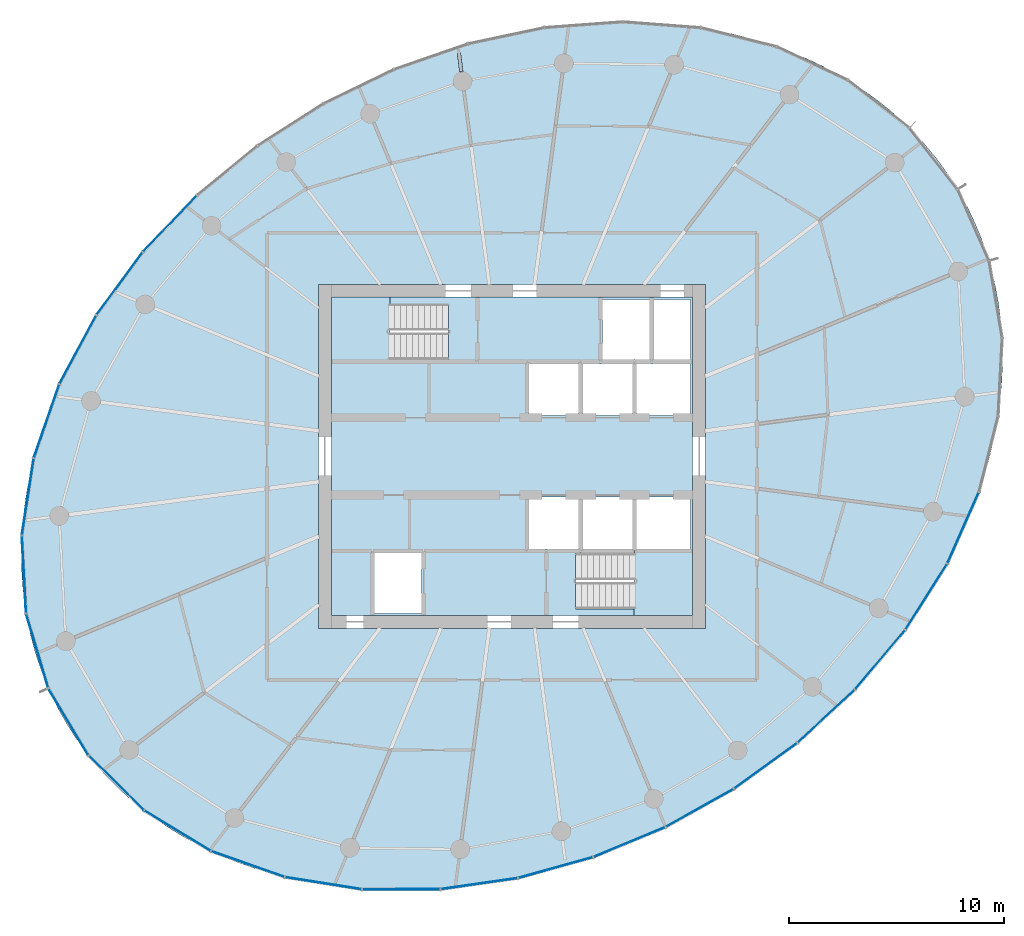
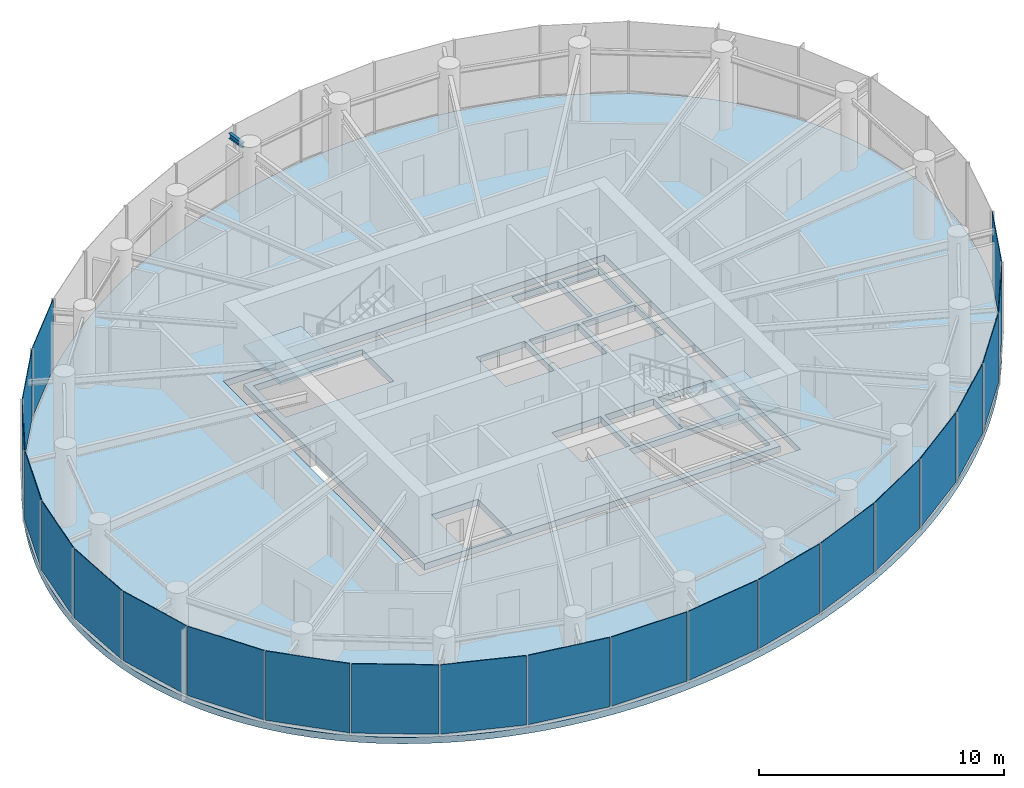
# One storey, part 8 of 14: 22 plates, 4 slabs, 1 beam, 7 elements without a shape of their own.
"""IFC4 building model written with IfcOpenShell, lengths in metres."""

from ifc_helpers import new_model, si_unit, direction, frame, origin, origin_2d, place, context, subcontext, project, spatial, line, indexed_curve, rectangle, i_section, outline, extrude, source, transform, mapped, material, layer, layer_set, material_profile, profile_set, type_object, element, aggregate, save


model = new_model("IFC4")

# Units and contexts
model_context = context("Model", 3, precision=1e-05, world=origin(), true_north=direction((0.0, 1.0)))
body_context = subcontext(model_context, "Body", "Model", "MODEL_VIEW")
ifc_project = project(units=[si_unit("LENGTHUNIT", "METRE"), si_unit("AREAUNIT", "SQUARE_METRE"), si_unit("VOLUMEUNIT", "CUBIC_METRE"), si_unit("PLANEANGLEUNIT", "RADIAN"), si_unit("MASSUNIT", "GRAM", prefix="KILO")], contexts=[model_context])

# Site, building, storey
site_placement = place(None, origin())
site = spatial("IfcSite", under=ifc_project, at=site_placement, CompositionType="ELEMENT")
building_placement = place(site_placement, origin())
building = spatial("IfcBuilding", under=site, at=building_placement, Name="Spindrift Exchange Tower", CompositionType="ELEMENT")
storey_placement = place(building_placement, frame((0.0, 0.0, 211.10009765625)))
storey = spatial("IfcBuildingStorey", under=building, at=storey_placement, Name="L51", CompositionType="ELEMENT", Elevation=211.10009765625)

# Beam
ifc_material_1 = material(Name="Steel Grade 300", Category="steel")
ifc_material_profile = material_profile(ifc_material_1, i_section(OverallWidth=0.14599609375, OverallDepth=0.251953125, WebThickness=0.006103515625, FlangeThickness=0.008544921875, FilletRadius=0.011962890625, at=origin_2d()), Name="250UB31.4")
ifc_profile_set = profile_set([ifc_material_profile], Name="Steel Grade 300")
beam_type = type_object("IfcBeamType", Name="Cantilever Beam 250UB31.4 Steel Grade 300", PredefinedType="BEAM", material=ifc_profile_set)
shared_shape_1 = source(origin(), body_context, "Body", "SweptSolid", [
    extrude(i_section(OverallWidth=0.14599609375, OverallDepth=0.251953125, WebThickness=0.006103515625, FlangeThickness=0.008544921875, FilletRadius=0.011962890625, at=origin_2d()), origin(), (0.0, 0.0, 1.0), 0.9130859375),
])
beam_placement = place(storey_placement, frame((49.6474609375, 65.868896484375, 3.453857421875), z_axis=(-0.130482178954, 0.991450654836, 0.0), x_axis=(-0.991450654836, -0.130482178954, 0.0)))
element("IfcBeam", 1, at=beam_placement, inside=storey, type_object=beam_type, Name="L51 cantilever beam R07T", PredefinedType="BEAM", context=body_context, shape_type="MappedRepresentation", body=[
    mapped(shared_shape_1, transform((0.0, 0.0, 0.0), scale=1.0)),
])

# Slabs
ifc_material_2 = material(Name="Concrete 40 MPa", Category="concrete")
ifc_layer_1 = layer(ifc_material_2, 0.320068359375)
ifc_layer_set_1 = layer_set([ifc_layer_1], Name="RC Floor Slab 320 Concrete 40 MPa")
slab_type_1 = type_object("IfcSlabType", Name="RC Floor Slab 320 Concrete 40 MPa", PredefinedType="FLOOR", material=ifc_layer_set_1)
slab_1_placement = place(storey_placement, frame((0.0, 0.0, -0.320068359375)))
element("IfcSlab", 2, at=slab_1_placement, inside=storey, type_object=slab_type_1, Name="Floor slab L51", PredefinedType="FLOOR", context=body_context, shape_type="SweptSolid", body=[
    extrude(outline(indexed_curve([(72.726318359375, 60.415771484375), (72.32470703125, 61.048095703125), (71.890380859375, 61.658447265625), (71.66162109375, 61.955078125), (71.18115234375, 62.52978515625), (70.93017578125, 62.807861328125), (70.406982421875, 63.34423828125), (69.857666015625, 63.853515625), (69.573486328125, 64.097900390625), (68.98828125, 64.565185546875), (68.380859375, 65.00390625), (68.069580078125, 65.21240234375), (67.433349609375, 65.607666015625), (66.779541015625, 65.9736328125), (66.447021484375, 66.145751953125), (65.7705078125, 66.468017578125), (65.081298828125, 66.76171875), (64.732421875, 66.897705078125), (64.0263671875, 67.148193359375), (63.31103515625, 67.37109375), (62.587646484375, 67.566162109375), (62.223388671875, 67.653564453125), (61.857666015625, 67.734375), (61.121826171875, 67.8759765625), (60.752197265625, 67.93701171875), (60.01025390625, 68.0400390625), (59.637939453125, 68.08203125), (58.8916015625, 68.147705078125), (58.517822265625, 68.17138671875), (57.769287109375, 68.20068359375), (57.39453125, 68.20654296875), (56.6455078125, 68.201171875), (56.27099609375, 68.18994140625), (55.522705078125, 68.15087890625), (54.776123046875, 68.08984375), (54.403564453125, 68.051513671875), (54.031494140625, 68.0078125), (53.289306640625, 67.904541015625), (52.91943359375, 67.845458984375), (52.18212890625, 67.712158203125), (51.083740234375, 67.47509765625), (49.995361328125, 67.195556640625), (48.91845703125, 66.8740234375), (47.8544921875, 66.51220703125), (46.8046875, 66.111083984375), (45.7705078125, 65.671875), (44.752685546875, 65.1953125), (43.752685546875, 64.682373046875), (43.0966796875, 64.320556640625), (42.449462890625, 63.943359375), (41.495849609375, 63.3486328125), (40.872314453125, 62.933349609375), (40.2587890625, 62.50341796875), (39.3583984375, 61.830810546875), (38.48291015625, 61.126220703125), (37.634033203125, 60.389892578125), (36.81298828125, 59.62255859375), (36.021484375, 58.82470703125), (35.261474609375, 57.997314453125), (34.5341796875, 57.140380859375), (34.299560546875, 56.848388671875), (33.842041015625, 56.255126953125), (33.401123046875, 55.6494140625), (33.18701171875, 55.342041015625), (32.977294921875, 55.03173828125), (32.5712890625, 54.402099609375), (32.18359375, 53.760986328125), (31.9970703125, 53.43603515625), (31.8154296875, 53.1083984375), (31.46728515625, 52.445068359375), (31.30078125, 52.109375), (30.984375, 51.430419921875), (30.83447265625, 51.087158203125), (30.551513671875, 50.393310546875), (30.2919921875, 49.6904296875), (30.171630859375, 49.335693359375), (29.949462890625, 48.620361328125), (29.847900390625, 48.259765625), (29.753173828125, 47.897216796875), (29.583984375, 47.16748046875), (29.44287109375, 46.431640625), (29.330810546875, 45.69091796875), (29.285888671875, 45.319091796875), (29.219482421875, 44.57275390625), (29.1845703125, 43.824462890625), (29.17919921875, 43.449951171875), (29.193603515625, 42.700927734375), (29.24169921875, 41.953369140625), (29.27880859375, 41.58056640625), (29.37890625, 40.838134765625), (29.514892578125, 40.101318359375), (29.59619140625, 39.735595703125), (29.785888671875, 39.010986328125), (29.89453125, 38.65234375), (30.138671875, 37.944091796875), (30.418701171875, 37.24951171875), (30.734619140625, 36.570068359375), (30.90576171875, 36.23681640625), (31.273681640625, 35.584228515625), (31.67529296875, 34.951904296875), (32.109619140625, 34.341552734375), (32.33837890625, 34.044921875), (32.81884765625, 33.47021484375), (33.06982421875, 33.192138671875), (33.593017578125, 32.65576171875), (34.142333984375, 32.146484375), (34.426513671875, 31.902099609375), (35.01171875, 31.434814453125), (35.619140625, 30.99609375), (35.930419921875, 30.78759765625), (36.566650390625, 30.392333984375), (37.220458984375, 30.0263671875), (37.552978515625, 29.854248046875), (38.2294921875, 29.531982421875), (38.918701171875, 29.23828125), (39.267578125, 29.102294921875), (39.9736328125, 28.851806640625), (40.68896484375, 28.62890625), (41.412353515625, 28.433837890625), (41.776611328125, 28.346435546875), (42.142333984375, 28.265625), (42.878173828125, 28.1240234375), (43.247802734375, 28.06298828125), (43.98974609375, 27.9599609375), (44.362060546875, 27.91796875), (45.1083984375, 27.852294921875), (45.482177734375, 27.82861328125), (46.230712890625, 27.79931640625), (46.60546875, 27.79345703125), (47.3544921875, 27.798828125), (47.72900390625, 27.81005859375), (48.477294921875, 27.84912109375), (49.223876953125, 27.91015625), (49.596435546875, 27.948486328125), (49.968505859375, 27.9921875), (50.710693359375, 28.095458984375), (51.08056640625, 28.154541015625), (51.81787109375, 28.287841796875), (52.916259765625, 28.52490234375), (54.004638671875, 28.804443359375), (55.08154296875, 29.1259765625), (56.1455078125, 29.48779296875), (57.1953125, 29.888916015625), (58.2294921875, 30.328125), (59.247314453125, 30.8046875), (60.247314453125, 31.317626953125), (60.9033203125, 31.679443359375), (61.550537109375, 32.056640625), (62.504150390625, 32.6513671875), (63.127685546875, 33.066650390625), (63.7412109375, 33.49658203125), (64.6416015625, 34.169189453125), (65.51708984375, 34.873779296875), (66.365966796875, 35.610107421875), (67.18701171875, 36.37744140625), (67.978515625, 37.17529296875), (68.738525390625, 38.002685546875), (69.4658203125, 38.859619140625), (69.700439453125, 39.151611328125), (70.157958984375, 39.744873046875), (70.598876953125, 40.3505859375), (70.81298828125, 40.657958984375), (71.022705078125, 40.96826171875), (71.4287109375, 41.597900390625), (71.81640625, 42.239013671875), (72.0029296875, 42.56396484375), (72.1845703125, 42.8916015625), (72.53271484375, 43.554931640625), (72.69921875, 43.890625), (73.015625, 44.569580078125), (73.16552734375, 44.912841796875), (73.448486328125, 45.606689453125), (73.7080078125, 46.3095703125), (73.828369140625, 46.664306640625), (74.050537109375, 47.379638671875), (74.152099609375, 47.740234375), (74.246826171875, 48.102783203125), (74.416015625, 48.83251953125), (74.55712890625, 49.568359375), (74.669189453125, 50.30908203125), (74.714111328125, 50.680908203125), (74.780517578125, 51.42724609375), (74.8154296875, 52.175537109375), (74.82080078125, 52.550048828125), (74.806396484375, 53.299072265625), (74.75830078125, 54.046630859375), (74.72119140625, 54.41943359375), (74.62109375, 55.161865234375), (74.485107421875, 55.898681640625), (74.40380859375, 56.264404296875), (74.214111328125, 56.989013671875), (74.10546875, 57.34765625), (73.861328125, 58.055908203125), (73.581298828125, 58.75048828125), (73.265380859375, 59.429931640625), (73.09423828125, 59.76318359375)], segments=[line(1, 2, 3, 4, 5, 6, 7, 8, 9, 10, 11, 12, 13, 14, 15, 16, 17, 18, 19, 20, 21, 22, 23, 24, 25, 26, 27, 28, 29, 30, 31, 32, 33, 34, 35, 36, 37, 38, 39, 40, 41, 42, 43, 44, 45, 46, 47, 48, 49, 50, 51, 52, 53, 54, 55, 56, 57, 58, 59, 60, 61, 62, 63, 64, 65, 66, 67, 68, 69, 70, 71, 72, 73, 74, 75, 76, 77, 78, 79, 80, 81, 82, 83, 84, 85, 86, 87, 88, 89, 90, 91, 92, 93, 94, 95, 96, 97, 98, 99, 100, 101, 102, 103, 104, 105, 106, 107, 108, 109, 110, 111, 112, 113, 114, 115, 116, 117, 118, 119, 120, 121, 122, 123, 124, 125, 126, 127, 128, 129, 130, 131, 132, 133, 134, 135, 136, 137, 138, 139, 140, 141, 142, 143, 144, 145, 146, 147, 148, 149, 150, 151, 152, 153, 154, 155, 156, 157, 158, 159, 160, 161, 162, 163, 164, 165, 166, 167, 168, 169, 170, 171, 172, 173, 174, 175, 176, 177, 178, 179, 180, 181, 182, 183, 184, 185, 186, 187, 188, 189, 190, 191, 192, 193, 194, 195, 196, 1)], self_intersect=False), holes=[indexed_curve([(43.0, 40.0), (61.0, 40.0), (61.0, 56.0), (43.0, 56.0)], segments=[line(1, 2, 3, 4, 1)], self_intersect=False)]), origin(), (0.0, 0.0, 1.0), 0.320068359375),
])
ifc_material_3 = material(Name="Concrete 50 MPa", Category="concrete")
ifc_layer_2 = layer(ifc_material_3, 0.320068359375)
ifc_layer_set_2 = layer_set([ifc_layer_2], Name="SL-CORE-FLOOR-320")
slab_type_2 = type_object("IfcSlabType", Name="SL-CORE-FLOOR-320", PredefinedType="FLOOR", material=ifc_layer_set_2)
slab_2_placement = place(storey_placement, frame((0.0, 0.0, -0.320068359375)))
element("IfcSlab", 3, at=slab_2_placement, inside=storey, type_object=slab_type_2, Name="L51 Core floor slab", PredefinedType="FLOOR", context=body_context, shape_type="SweptSolid", body=[
    extrude(outline(indexed_curve([(43.60009765625, 40.60009765625), (43.60009765625, 55.39990234375), (60.39990234375, 55.39990234375), (60.39990234375, 40.60009765625)], segments=[line(1, 2, 3, 4, 1)], self_intersect=False), holes=[indexed_curve([(45.60009765625, 43.5), (45.60009765625, 40.699951171875), (47.800048828125, 40.699951171875), (47.800048828125, 43.5)], segments=[line(1, 2, 3, 4, 1)], self_intersect=False), indexed_curve([(52.800048828125, 46.10009765625), (52.800048828125, 43.699951171875), (55.10009765625, 43.699951171875), (55.10009765625, 46.10009765625)], segments=[line(1, 2, 3, 4, 1)], self_intersect=False), indexed_curve([(55.300048828125, 46.10009765625), (55.300048828125, 43.699951171875), (57.60009765625, 43.699951171875), (57.60009765625, 46.10009765625)], segments=[line(1, 2, 3, 4, 1)], self_intersect=False), indexed_curve([(55.10009765625, 52.300048828125), (52.800048828125, 52.300048828125), (52.800048828125, 49.89990234375), (55.10009765625, 49.89990234375)], segments=[line(1, 2, 3, 4, 1)], self_intersect=False), indexed_curve([(57.60009765625, 52.300048828125), (55.300048828125, 52.300048828125), (55.300048828125, 49.89990234375), (57.60009765625, 49.89990234375)], segments=[line(1, 2, 3, 4, 1)], self_intersect=False), indexed_curve([(43.906005859375, 52.506103515625), (49.0439453125, 52.506103515625), (49.0439453125, 55.093994140625), (43.906005859375, 55.093994140625)], segments=[line(1, 2, 3, 4, 1)], self_intersect=False), indexed_curve([(60.093994140625, 40.906005859375), (60.093994140625, 43.493896484375), (54.9560546875, 43.493896484375), (54.9560546875, 40.906005859375)], segments=[line(1, 2, 3, 4, 1)], self_intersect=False), indexed_curve([(60.300048828125, 46.10009765625), (57.800048828125, 46.10009765625), (57.800048828125, 43.699951171875), (60.300048828125, 43.699951171875)], segments=[line(1, 2, 3, 4, 1)], self_intersect=False), indexed_curve([(57.800048828125, 52.300048828125), (57.800048828125, 49.89990234375), (60.300048828125, 49.89990234375), (60.300048828125, 52.300048828125)], segments=[line(1, 2, 3, 4, 1)], self_intersect=False), indexed_curve([(58.39990234375, 55.300048828125), (56.199951171875, 55.300048828125), (56.199951171875, 52.5), (58.39990234375, 52.5)], segments=[line(1, 2, 3, 4, 1)], self_intersect=False), indexed_curve([(60.300048828125, 55.300048828125), (58.60009765625, 55.300048828125), (58.60009765625, 52.5), (60.300048828125, 52.5)], segments=[line(1, 2, 3, 4, 1)], self_intersect=False)]), origin(), (0.0, 0.0, 1.0), 0.320068359375),
])

# Stair, slab
stair_type = type_object("IfcStairType", Name="ST-1250-R177", PredefinedType="HALF_TURN_STAIR", material=ifc_material_3)
stair_1_placement = place(storey_placement, origin())
stair_1 = element("IfcStair", 4, at=stair_1_placement, inside=storey, type_object=stair_type, Name="L51 Exit stair ST1", PredefinedType="HALF_TURN_STAIR")
ifc_layer_3 = layer(ifc_material_3, 0.199951171875)
ifc_layer_set_3 = layer_set([ifc_layer_3], Name="SL-LANDING")
slab_type_3 = type_object("IfcSlabType", Name="SL-LANDING", PredefinedType="LANDING", material=ifc_layer_set_3)
slab_3_placement = place(storey_placement, frame((0.0, 0.0, 1.75)))
slab_3 = element("IfcSlab", 5, at=slab_3_placement, type_object=slab_type_3, Name="ST1 landing 1", PredefinedType="LANDING", context=body_context, shape_type="SweptSolid", body=[
    extrude(outline(indexed_curve([(46.330078125, 52.39990234375), (43.60009765625, 52.39990234375), (43.60009765625, 55.39990234375), (46.330078125, 55.39990234375)], segments=[line(1, 2, 3, 4, 1)], self_intersect=False)), origin(), (0.0, 0.0, 1.0), 0.199951171875),
])
aggregate(stair_1, [slab_3])

stair_2_placement = place(storey_placement, origin())
stair_2 = element("IfcStair", 6, at=stair_2_placement, inside=storey, type_object=stair_type, Name="L51 Exit stair ST2", PredefinedType="HALF_TURN_STAIR")
slab_4_placement = place(storey_placement, frame((0.0, 0.0, 1.75)))
slab_4 = element("IfcSlab", 7, at=slab_4_placement, type_object=slab_type_3, Name="ST2 landing 1", PredefinedType="LANDING", context=body_context, shape_type="SweptSolid", body=[
    extrude(outline(indexed_curve([(57.669921875, 43.60009765625), (60.39990234375, 43.60009765625), (60.39990234375, 40.60009765625), (57.669921875, 40.60009765625)], segments=[line(1, 2, 3, 4, 1)], self_intersect=False)), origin(), (0.0, 0.0, 1.0), 0.199951171875),
])
aggregate(stair_2, [slab_4])

# Curtain wall, plate
ifc_material_4 = material(Name="Fritted laminated glass with bronze frame", Category="glass")
ifc_layer_4 = layer(ifc_material_4, 0.169921875)
ifc_layer_set_4 = layer_set([ifc_layer_4], Name="ZONE 4 BRONZE FRITTED WALL")
curtain_wall_type = type_object("IfcCurtainWallType", Name="ZONE 4 BRONZE FRITTED WALL", PredefinedType="NOTDEFINED", material=ifc_layer_set_4)
curtain_wall_1_placement = place(storey_placement, origin())
curtain_wall_1 = element("IfcCurtainWall", 8, at=curtain_wall_1_placement, inside=storey, type_object=curtain_wall_type, Name="L51 Zone 4 Bronze Fritted Wall run 2", PredefinedType="NOTDEFINED")
ifc_material_5 = material(Name="Bronze fritted laminated glass, open frit", Category="glass")
ifc_layer_5 = layer(ifc_material_5, 0.030029296875)
ifc_layer_set_5 = layer_set([ifc_layer_5], Name="ZONE 4 BRONZE FRITTED WALL PANEL OPEN FRIT 600")
plate_type_1 = type_object("IfcPlateType", Name="ZONE 4 BRONZE FRITTED WALL PANEL OPEN FRIT 600", PredefinedType="CURTAIN_PANEL", material=ifc_layer_set_5)
shared_shape_2 = source(origin(), body_context, "Body", "SweptSolid", [
    extrude(rectangle(XDim=3.577392578125, YDim=0.030029296875, at=origin_2d()), origin(), (0.0, 0.0, 1.0), 3.455078125),
])
plate_1_placement = place(storey_placement, frame((36.090576171875, 58.814697265625, 0.124755859375), z_axis=(0.0, 0.0, 1.0), x_axis=(-0.691369315119, -0.722501536408, 0.0)))
plate_1 = element("IfcPlate", 9, at=plate_1_placement, type_object=plate_type_1, Name="L51 panel CW-4.12", PredefinedType="CURTAIN_PANEL", context=body_context, shape_type="MappedRepresentation", body=[
    mapped(shared_shape_2, transform((0.0, 0.0, 0.0), scale=1.0)),
])
aggregate(curtain_wall_1, [plate_1])

curtain_wall_2_placement = place(storey_placement, origin())
curtain_wall_2 = element("IfcCurtainWall", 10, at=curtain_wall_2_placement, inside=storey, type_object=curtain_wall_type, Name="L51 Zone 4 Bronze Fritted Wall run 6", PredefinedType="NOTDEFINED")
plate_2_placement = place(storey_placement, frame((69.12353515625, 38.538818359375, 0.124755859375), z_axis=(0.0, 0.0, 1.0), x_axis=(0.644197053977, 0.764859565965, 0.0)))
plate_2 = element("IfcPlate", 11, at=plate_2_placement, type_object=plate_type_1, Name="L51 panel CW-4.31", PredefinedType="CURTAIN_PANEL", context=body_context, shape_type="MappedRepresentation", body=[
    mapped(shared_shape_2, transform((0.0, 0.0, 0.0), scale=1.0)),
])

# Curtain wall, plates
curtain_wall_3_placement = place(storey_placement, origin())
curtain_wall_3 = element("IfcCurtainWall", 12, at=curtain_wall_3_placement, inside=storey, type_object=curtain_wall_type, Name="L51 Zone 4 Bronze Fritted Wall run 5", PredefinedType="NOTDEFINED")
ifc_layer_6 = layer(ifc_material_5, 0.030029296875)
ifc_layer_set_6 = layer_set([ifc_layer_6], Name="ZONE 4 BRONZE FRITTED WALL PANEL OPEN FRIT 480")
plate_type_2 = type_object("IfcPlateType", Name="ZONE 4 BRONZE FRITTED WALL PANEL OPEN FRIT 480", PredefinedType="CURTAIN_PANEL", material=ifc_layer_set_6)
shared_shape_3 = source(origin(), body_context, "Body", "SweptSolid", [
    extrude(rectangle(XDim=3.577880859375, YDim=0.030029296875, at=origin_2d()), origin(), (0.0, 0.0, 1.0), 3.455078125),
])
plate_3_placement = place(storey_placement, frame((60.736083984375, 31.64599609375, 0.124755859375), z_axis=(0.0, 0.0, 1.0), x_axis=(0.872428627189, 0.488741537483, 0.0)))
plate_3 = element("IfcPlate", 13, at=plate_3_placement, type_object=plate_type_2, Name="L51 panel CW-4.28", PredefinedType="CURTAIN_PANEL", context=body_context, shape_type="MappedRepresentation", body=[
    mapped(shared_shape_3, transform((0.0, 0.0, 0.0), scale=1.0)),
])
ifc_layer_7 = layer(ifc_material_5, 0.030029296875)
ifc_layer_set_7 = layer_set([ifc_layer_7], Name="ZONE 4 BRONZE FRITTED WALL PANEL OPEN FRIT 360")
plate_type_3 = type_object("IfcPlateType", Name="ZONE 4 BRONZE FRITTED WALL PANEL OPEN FRIT 360", PredefinedType="CURTAIN_PANEL", material=ifc_layer_set_7)
shared_shape_4 = source(origin(), body_context, "Body", "SweptSolid", [
    extrude(rectangle(XDim=3.5771484375, YDim=0.030029296875, at=origin_2d()), origin(), (0.0, 0.0, 1.0), 3.455078125),
])
plate_4_placement = place(storey_placement, frame((50.4716796875, 28.121826171875, 0.124755859375), z_axis=(0.0, 0.0, 1.0), x_axis=(0.989834895474, 0.142221235061, 0.0)))
plate_4 = element("IfcPlate", 14, at=plate_4_placement, type_object=plate_type_3, Name="L51 panel CW-4.25", PredefinedType="CURTAIN_PANEL", context=body_context, shape_type="MappedRepresentation", body=[
    mapped(shared_shape_4, transform((0.0, 0.0, 0.0), scale=1.0)),
])

# Curtain wall, plate
curtain_wall_4_placement = place(storey_placement, origin())
curtain_wall_4 = element("IfcCurtainWall", 15, at=curtain_wall_4_placement, inside=storey, type_object=curtain_wall_type, Name="L51 Zone 4 Bronze Fritted Wall run 3", PredefinedType="NOTDEFINED")
shared_shape_5 = source(origin(), body_context, "Body", "SweptSolid", [
    extrude(rectangle(XDim=3.57568359375, YDim=0.030029296875, at=origin_2d()), origin(), (0.0, 0.0, 1.0), 3.455078125),
])
plate_5_placement = place(storey_placement, frame((30.354736328125, 49.63671875, 0.124755859375), z_axis=(0.0, 0.0, 1.0), x_axis=(-0.327806616594, -0.94474484498, 0.0)))
plate_5 = element("IfcPlate", 16, at=plate_5_placement, type_object=plate_type_2, Name="L51 panel CW-4.15", PredefinedType="CURTAIN_PANEL", context=body_context, shape_type="MappedRepresentation", body=[
    mapped(shared_shape_5, transform((0.0, 0.0, 0.0), scale=1.0)),
])

# Curtain wall, plates
curtain_wall_5_placement = place(storey_placement, origin())
curtain_wall_5 = element("IfcCurtainWall", 17, at=curtain_wall_5_placement, inside=storey, type_object=curtain_wall_type, Name="L51 Zone 4 Bronze Fritted Wall run 4", PredefinedType="NOTDEFINED")
shared_shape_6 = source(origin(), body_context, "Body", "SweptSolid", [
    extrude(rectangle(XDim=3.572509765625, YDim=0.030029296875, at=origin_2d()), origin(), (0.0, 0.0, 1.0), 3.455078125),
])
plate_6_placement = place(storey_placement, frame((36.4453125, 30.582275390625, 0.124755859375), z_axis=(0.0, 0.0, 1.0), x_axis=(0.854465177192, -0.519508672657, 0.0)))
plate_6 = element("IfcPlate", 18, at=plate_6_placement, type_object=plate_type_1, Name="L51 panel CW-4.21", PredefinedType="CURTAIN_PANEL", context=body_context, shape_type="MappedRepresentation", body=[
    mapped(shared_shape_6, transform((0.0, 0.0, 0.0), scale=1.0)),
])
shared_shape_7 = source(origin(), body_context, "Body", "SweptSolid", [
    extrude(rectangle(XDim=3.57080078125, YDim=0.030029296875, at=origin_2d()), origin(), (0.0, 0.0, 1.0), 3.455078125),
])
plate_7_placement = place(storey_placement, frame((33.59912109375, 32.805908203125, 0.124755859375), z_axis=(0.0, 0.0, 1.0), x_axis=(0.710797018558, -0.703397183964, 0.0)))
plate_7 = element("IfcPlate", 19, at=plate_7_placement, type_object=plate_type_1, Name="L51 panel CW-4.20", PredefinedType="CURTAIN_PANEL", context=body_context, shape_type="MappedRepresentation", body=[
    mapped(shared_shape_7, transform((0.0, 0.0, 0.0), scale=1.0)),
])
shared_shape_8 = source(origin(), body_context, "Body", "SweptSolid", [
    extrude(rectangle(XDim=3.570068359375, YDim=0.030029296875, at=origin_2d()), origin(), (0.0, 0.0, 1.0), 3.455078125),
])
plate_8_placement = place(storey_placement, frame((31.373046875, 35.643798828125, 0.124755859375), z_axis=(0.0, 0.0, 1.0), x_axis=(0.513881168257, -0.85786137861, 0.0)))
plate_8 = element("IfcPlate", 20, at=plate_8_placement, type_object=plate_type_1, Name="L51 panel CW-4.19", PredefinedType="CURTAIN_PANEL", context=body_context, shape_type="MappedRepresentation", body=[
    mapped(shared_shape_8, transform((0.0, 0.0, 0.0), scale=1.0)),
])
shared_shape_9 = source(origin(), body_context, "Body", "SweptSolid", [
    extrude(rectangle(XDim=3.575439453125, YDim=0.030029296875, at=origin_2d()), origin(), (0.0, 0.0, 1.0), 3.455078125),
])
plate_9_placement = place(storey_placement, frame((43.229736328125, 28.1435546875, 0.124755859375), z_axis=(0.0, 0.0, 1.0), x_axis=(0.987640514337, -0.156736129975, 0.0)))
plate_9 = element("IfcPlate", 21, at=plate_9_placement, type_object=plate_type_3, Name="L51 panel CW-4.23", PredefinedType="CURTAIN_PANEL", context=body_context, shape_type="MappedRepresentation", body=[
    mapped(shared_shape_9, transform((0.0, 0.0, 0.0), scale=1.0)),
])

# Plate
shared_shape_10 = source(origin(), body_context, "Body", "SweptSolid", [
    extrude(rectangle(XDim=3.5771484375, YDim=0.030029296875, at=origin_2d()), origin(), (0.0, 0.0, 1.0), 3.455078125),
])
plate_10_placement = place(storey_placement, frame((33.752685546875, 56.031982421875, 0.124755859375), z_axis=(0.0, 0.0, 1.0), x_axis=(-0.592443517071, -0.805611990402, 0.0)))
plate_10 = element("IfcPlate", 22, at=plate_10_placement, type_object=plate_type_2, Name="L51 panel CW-4.13", PredefinedType="CURTAIN_PANEL", context=body_context, shape_type="MappedRepresentation", body=[
    mapped(shared_shape_10, transform((0.0, 0.0, 0.0), scale=1.0)),
])

shared_shape_11 = source(origin(), body_context, "Body", "SweptSolid", [
    extrude(rectangle(XDim=3.577880859375, YDim=0.030029296875, at=origin_2d()), origin(), (0.0, 0.0, 1.0), 3.455078125),
])
plate_11_placement = place(storey_placement, frame((63.80029296875, 33.60498046875, 0.124755859375), z_axis=(0.0, 0.0, 1.0), x_axis=(0.809754988139, 0.586768147725, 0.0)))
plate_11 = element("IfcPlate", 23, at=plate_11_placement, type_object=plate_type_1, Name="L51 panel CW-4.29", PredefinedType="CURTAIN_PANEL", context=body_context, shape_type="MappedRepresentation", body=[
    mapped(shared_shape_11, transform((0.0, 0.0, 0.0), scale=1.0)),
])

shared_shape_12 = source(origin(), body_context, "Body", "SweptSolid", [
    extrude(rectangle(XDim=3.576171875, YDim=0.030029296875, at=origin_2d()), origin(), (0.0, 0.0, 1.0), 3.455078125),
])
plate_12_placement = place(storey_placement, frame((72.982666015625, 44.6728515625, 0.124755859375), z_axis=(0.0, 0.0, 1.0), x_axis=(0.403912552179, 0.91479760067, 0.0)))
plate_12 = element("IfcPlate", 24, at=plate_12_placement, type_object=plate_type_1, Name="L51 panel CW-4.33", PredefinedType="CURTAIN_PANEL", context=body_context, shape_type="MappedRepresentation", body=[
    mapped(shared_shape_12, transform((0.0, 0.0, 0.0), scale=1.0)),
])

shared_shape_13 = source(origin(), body_context, "Body", "SweptSolid", [
    extrude(rectangle(XDim=3.57763671875, YDim=0.030029296875, at=origin_2d()), origin(), (0.0, 0.0, 1.0), 3.455078125),
])
plate_13_placement = place(storey_placement, frame((57.465087890625, 30.0576171875, 0.124755859375), z_axis=(0.0, 0.0, 1.0), x_axis=(0.923605453472, 0.383344448659, 0.0)))
plate_13 = element("IfcPlate", 25, at=plate_13_placement, type_object=plate_type_1, Name="L51 panel CW-4.27", PredefinedType="CURTAIN_PANEL", context=body_context, shape_type="MappedRepresentation", body=[
    mapped(shared_shape_13, transform((0.0, 0.0, 0.0), scale=1.0)),
])

plate_14_placement = place(storey_placement, frame((66.61279296875, 35.909912109375, 0.124755859375), z_axis=(0.0, 0.0, 1.0), x_axis=(0.734435048767, 0.67867898092, 0.0)))
plate_14 = element("IfcPlate", 26, at=plate_14_placement, type_object=plate_type_1, Name="L51 panel CW-4.30", PredefinedType="CURTAIN_PANEL", context=body_context, shape_type="MappedRepresentation", body=[
    mapped(shared_shape_13, transform((0.0, 0.0, 0.0), scale=1.0)),
])

shared_shape_14 = source(origin(), body_context, "Body", "SweptSolid", [
    extrude(rectangle(XDim=3.577392578125, YDim=0.030029296875, at=origin_2d()), origin(), (0.0, 0.0, 1.0), 3.455078125),
])
plate_15_placement = place(storey_placement, frame((54.028564453125, 28.8701171875, 0.124755859375), z_axis=(0.0, 0.0, 1.0), x_axis=(0.963234812465, 0.268660931391, 0.0)))
plate_15 = element("IfcPlate", 27, at=plate_15_placement, type_object=plate_type_3, Name="L51 panel CW-4.26", PredefinedType="CURTAIN_PANEL", context=body_context, shape_type="MappedRepresentation", body=[
    mapped(shared_shape_14, transform((0.0, 0.0, 0.0), scale=1.0)),
])

aggregate(curtain_wall_3, [plate_4, plate_15, plate_13, plate_3, plate_11, plate_14])

shared_shape_15 = source(origin(), body_context, "Body", "SweptSolid", [
    extrude(rectangle(XDim=3.576416015625, YDim=0.030029296875, at=origin_2d()), origin(), (0.0, 0.0, 1.0), 3.455078125),
])
plate_16_placement = place(storey_placement, frame((31.8125, 52.96044921875, 0.124755859375), z_axis=(0.0, 0.0, 1.0), x_axis=(-0.472938336654, -0.881095528149, 0.0)))
plate_16 = element("IfcPlate", 28, at=plate_16_placement, type_object=plate_type_1, Name="L51 panel CW-4.14", PredefinedType="CURTAIN_PANEL", context=body_context, shape_type="MappedRepresentation", body=[
    mapped(shared_shape_15, transform((0.0, 0.0, 0.0), scale=1.0)),
])

shared_shape_16 = source(origin(), body_context, "Body", "SweptSolid", [
    extrude(rectangle(XDim=3.57421875, YDim=0.030029296875, at=origin_2d()), origin(), (0.0, 0.0, 1.0), 3.455078125),
])
plate_17_placement = place(storey_placement, frame((39.7158203125, 29.033203125, 0.124755859375), z_axis=(0.0, 0.0, 1.0), x_axis=(0.943240628214, -0.332110098141, 0.0)))
plate_17 = element("IfcPlate", 29, at=plate_17_placement, type_object=plate_type_3, Name="L51 panel CW-4.22", PredefinedType="CURTAIN_PANEL", context=body_context, shape_type="MappedRepresentation", body=[
    mapped(shared_shape_16, transform((0.0, 0.0, 0.0), scale=1.0)),
])

shared_shape_17 = source(origin(), body_context, "Body", "SweptSolid", [
    extrude(rectangle(XDim=3.572509765625, YDim=0.030029296875, at=origin_2d()), origin(), (0.0, 0.0, 1.0), 3.455078125),
])
plate_18_placement = place(storey_placement, frame((29.3037109375, 42.504150390625, 0.124755859375), z_axis=(0.0, 0.0, 1.0), x_axis=(0.054873501292, -0.998493314377, 0.0)))
plate_18 = element("IfcPlate", 30, at=plate_18_placement, type_object=plate_type_3, Name="L51 panel CW-4.17", PredefinedType="CURTAIN_PANEL", context=body_context, shape_type="MappedRepresentation", body=[
    mapped(shared_shape_17, transform((0.0, 0.0, 0.0), scale=1.0)),
])

shared_shape_18 = source(origin(), body_context, "Body", "SweptSolid", [
    extrude(rectangle(XDim=3.57080078125, YDim=0.030029296875, at=origin_2d()), origin(), (0.0, 0.0, 1.0), 3.455078125),
])
plate_19_placement = place(storey_placement, frame((29.92138671875, 38.945556640625, 0.124755859375), z_axis=(0.0, 0.0, 1.0), x_axis=(0.284783369849, -0.958591900788, 0.0)))
plate_19 = element("IfcPlate", 31, at=plate_19_placement, type_object=plate_type_3, Name="L51 panel CW-4.18", PredefinedType="CURTAIN_PANEL", context=body_context, shape_type="MappedRepresentation", body=[
    mapped(shared_shape_18, transform((0.0, 0.0, 0.0), scale=1.0)),
])

shared_shape_19 = source(origin(), body_context, "Body", "SweptSolid", [
    extrude(rectangle(XDim=3.57421875, YDim=0.030029296875, at=origin_2d()), origin(), (0.0, 0.0, 1.0), 3.455078125),
])
plate_20_placement = place(storey_placement, frame((29.48095703125, 46.118408203125, 0.124755859375), z_axis=(0.0, 0.0, 1.0), x_axis=(-0.152261386007, -0.988340260402, 0.0)))
plate_20 = element("IfcPlate", 32, at=plate_20_placement, type_object=plate_type_2, Name="L51 panel CW-4.16", PredefinedType="CURTAIN_PANEL", context=body_context, shape_type="MappedRepresentation", body=[
    mapped(shared_shape_19, transform((0.0, 0.0, 0.0), scale=1.0)),
])

aggregate(curtain_wall_4, [plate_10, plate_16, plate_5, plate_20, plate_18, plate_19])

shared_shape_20 = source(origin(), body_context, "Body", "SweptSolid", [
    extrude(rectangle(XDim=3.576904296875, YDim=0.030029296875, at=origin_2d()), origin(), (0.0, 0.0, 1.0), 3.455078125),
])
plate_21_placement = place(storey_placement, frame((71.27197265625, 41.469482421875, 0.124755859375), z_axis=(0.0, 0.0, 1.0), x_axis=(0.535558567249, 0.844498088243, 0.0)))
plate_21 = element("IfcPlate", 33, at=plate_21_placement, type_object=plate_type_3, Name="L51 panel CW-4.32", PredefinedType="CURTAIN_PANEL", context=body_context, shape_type="MappedRepresentation", body=[
    mapped(shared_shape_20, transform((0.0, 0.0, 0.0), scale=1.0)),
])

aggregate(curtain_wall_2, [plate_2, plate_21, plate_12])

shared_shape_21 = source(origin(), body_context, "Body", "SweptSolid", [
    extrude(rectangle(XDim=3.576416015625, YDim=0.030029296875, at=origin_2d()), origin(), (0.0, 0.0, 1.0), 3.455078125),
])
plate_22_placement = place(storey_placement, frame((46.848388671875, 27.860595703125, 0.124755859375), z_axis=(0.0, 0.0, 1.0), x_axis=(0.999999236531, 0.001235692796, 0.0)))
plate_22 = element("IfcPlate", 34, at=plate_22_placement, type_object=plate_type_2, Name="L51 panel CW-4.24", PredefinedType="CURTAIN_PANEL", context=body_context, shape_type="MappedRepresentation", body=[
    mapped(shared_shape_21, transform((0.0, 0.0, 0.0), scale=1.0)),
])

aggregate(curtain_wall_5, [plate_8, plate_7, plate_6, plate_17, plate_9, plate_22])

save(model, "model.ifc")
